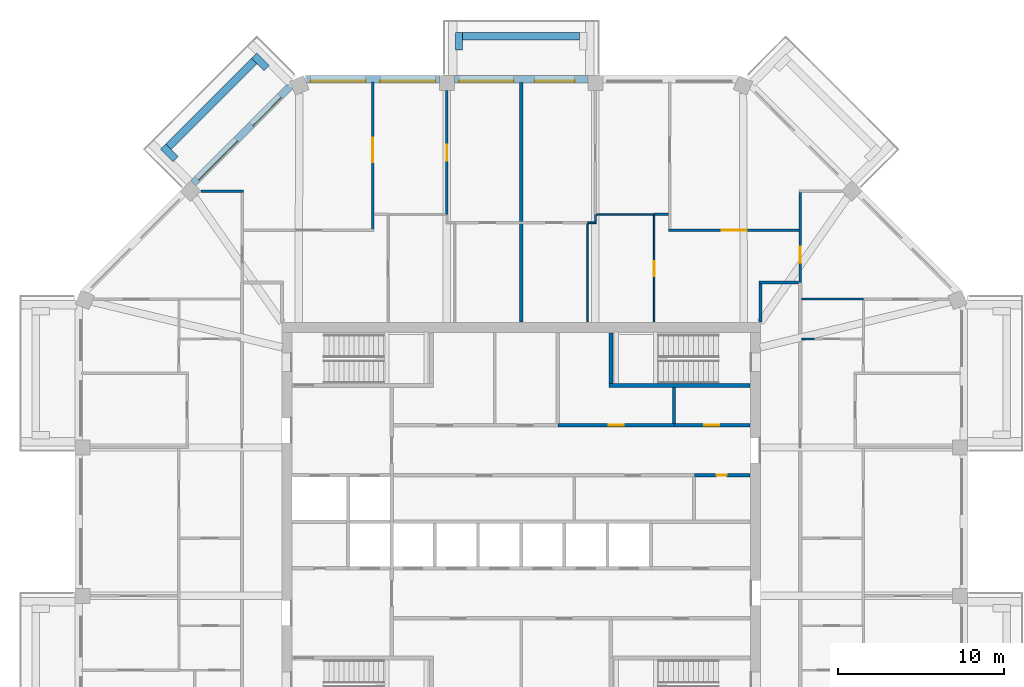
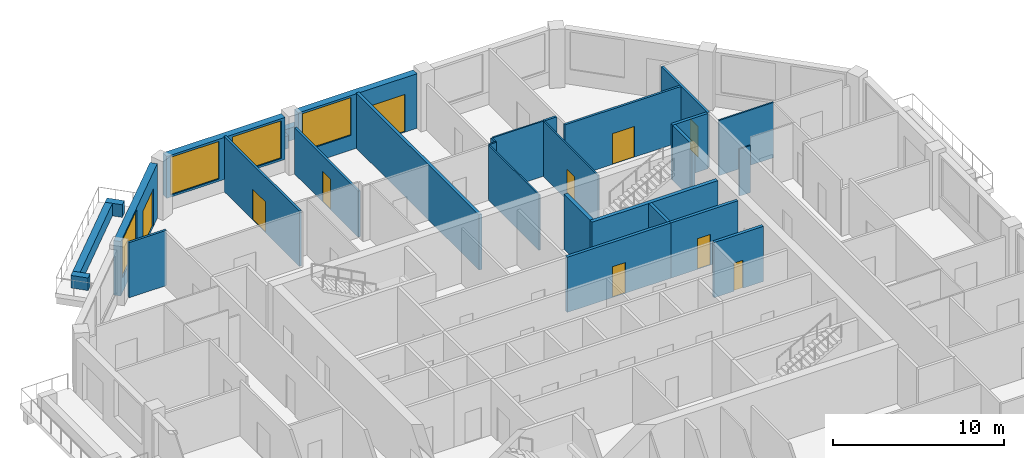
# One storey, part 8 of 12: 30 walls, 10 doors, 4 windows, 14 openings.
"""IFC4 building model written with IfcOpenShell, lengths in metres."""

from ifc_helpers import new_model, si_unit, direction, frame, frame_2d, origin, place, context, subcontext, project, spatial, rectangle, extrude, material, layer, layer_set, type_object, element, fill, save


model = new_model("IFC4")

# Units and contexts
model_context = context("Model", 3, precision=1e-05, world=origin(), true_north=direction((0.0, 1.0)))
body_context = subcontext(model_context, "Body", "Model", "MODEL_VIEW")
ifc_project = project(units=[si_unit("LENGTHUNIT", "METRE"), si_unit("AREAUNIT", "SQUARE_METRE"), si_unit("VOLUMEUNIT", "CUBIC_METRE"), si_unit("PLANEANGLEUNIT", "RADIAN"), si_unit("MASSUNIT", "GRAM", prefix="KILO")], contexts=[model_context])

# Site, building, storey
site_placement = place(None, origin())
site = spatial("IfcSite", under=ifc_project, at=site_placement, CompositionType="ELEMENT")
building_placement = place(site_placement, origin())
building = spatial("IfcBuilding", under=site, at=building_placement, Name="Msitu Wima Residences", CompositionType="ELEMENT")
storey_placement = place(building_placement, frame((0.0, 0.0, 243.300048828125)))
storey = spatial("IfcBuildingStorey", under=building, at=storey_placement, Name="L56", CompositionType="ELEMENT", Elevation=243.300048828125)

# Walls
ifc_material_1 = material(Name="Facing brick")
ifc_layer_1 = layer(ifc_material_1, 0.06494140625, Name="Facing brick")
ifc_material_2 = material(Name="Concrete C40/50", Category="concrete")
ifc_layer_2 = layer(ifc_material_2, 0.156005859375, Name="Concrete C40/50")
ifc_material_3 = material(Name="Waterproofing membrane")
ifc_layer_3 = layer(ifc_material_3, 0.00390625, Name="Waterproofing membrane")
ifc_material_4 = material(Name="Planting soil and planting")
ifc_layer_4 = layer(ifc_material_4, 0.22509765625, Name="Planting soil and planting")
ifc_layer_set_1 = layer_set([ifc_layer_1, ifc_layer_2, ifc_layer_3, ifc_layer_4], Name="Concrete C40/50")
wall_type_1 = type_object("IfcWallType", Name="Balcony planter PLANTER PL450", PredefinedType="USERDEFINED", material=ifc_layer_set_1)
wall_1_placement = place(storey_placement, frame((3.5185546875, 29.22509765625, 0.0), z_axis=(0.0, 0.0, 1.0), x_axis=(-1.0, 0.0, 0.0)))
element("IfcWall", 1, at=wall_1_placement, inside=storey, type_object=wall_type_1, Name="Balcony planter N1 L56", ObjectType="PLANTER", PredefinedType="USERDEFINED", context=body_context, shape_type="SweptSolid", body=[
    extrude(rectangle(XDim=7.037109375, YDim=0.449951171875, at=frame_2d((3.5185546875, 0.0))), origin(), (0.0, 0.0, 1.0), 0.89990234375),
])
wall_2_placement = place(storey_placement, frame((-3.74365234375, 28.39990234375, 0.0), z_axis=(0.0, 0.0, 1.0), x_axis=(0.0, 1.0, 0.0)))
element("IfcWall", 2, at=wall_2_placement, inside=storey, type_object=wall_type_1, Name="Balcony planter N1 L56", ObjectType="PLANTER", PredefinedType="USERDEFINED", context=body_context, shape_type="SweptSolid", body=[
    extrude(rectangle(XDim=1.050048828125, YDim=0.449951171875, at=frame_2d((0.52490234375, 0.0))), origin(), (0.0, 0.0, 1.0), 0.89990234375),
])
wall_3_placement = place(storey_placement, frame((-16.0751953125, 27.725830078125, 0.0), z_axis=(0.0, 0.0, 1.0), x_axis=(-0.707106781187, -0.707106781187, 0.0)))
element("IfcWall", 3, at=wall_3_placement, inside=storey, type_object=wall_type_1, Name="Balcony planter NW0 L56", ObjectType="PLANTER", PredefinedType="USERDEFINED", context=body_context, shape_type="SweptSolid", body=[
    extrude(rectangle(XDim=7.288330078125, YDim=0.449951171875, at=frame_2d((3.64404296875, 0.0))), origin(), (0.0, 0.0, 1.0), 0.89990234375),
])
for number, where, z_axis, x_axis, name in (
    (4, (-15.332763671875, 27.301513671875, 0.0), (0.0, 0.0, 1.0), (-0.707106781187, 0.707106781187, 0.0), "Balcony planter NW0 L56"),
    (5, (-20.804443359375, 21.829833984375, 0.0), (0.0, 0.0, 1.0), (-0.707106781187, 0.707106781187, 0.0), "Balcony planter NW0 L56"),
):
    element("IfcWall", number, at=place(storey_placement, frame(where, z_axis=z_axis, x_axis=x_axis)), inside=storey, type_object=wall_type_1, Name=name, ObjectType="PLANTER", PredefinedType="USERDEFINED", context=body_context, shape_type="SweptSolid", body=[
        extrude(rectangle(XDim=1.050048828125, YDim=0.449951171875, at=frame_2d((0.52490234375, 0.0))), origin(), (0.0, 0.0, 1.0), 0.89990234375),
    ])

# Wall, openings, door, window
ifc_material_5 = material(Name="Brick (red buff mix)", Category="masonry")
ifc_layer_5 = layer(ifc_material_5, 0.449951171875)
ifc_layer_set_2 = layer_set([ifc_layer_5], Name="Brick (red buff mix)")
wall_type_2 = type_object("IfcWallType", Name="Brick infill wall BW450", PredefinedType="SOLIDWALL", material=ifc_layer_set_2)
wall_4_placement = place(storey_placement, frame((4.0185546875, 26.625, 0.0), z_axis=(0.0, 0.0, 1.0), x_axis=(-1.0, 0.0, 0.0)))
wall_4 = element("IfcWall", 6, at=wall_4_placement, inside=storey, type_object=wall_type_2, Name="Brick infill wall L56 N1", PredefinedType="SOLIDWALL", context=body_context, shape_type="SweptSolid", body=[
    extrude(rectangle(XDim=8.037109375, YDim=0.449951171875, at=frame_2d((4.0185546875, 0.0))), origin(), (0.0, 0.0, 1.0), 3.89990234375),
])
opening_1_placement = place(wall_4_placement, frame((0.809326171875, 0.0, 0.0)))
opening_1 = element("IfcOpeningElement", 7, at=opening_1_placement, cuts=wall_4, Name="Opening D55-56.003", PredefinedType="OPENING", context=body_context, shape_type="SweptSolid", body=[
    extrude(rectangle(XDim=2.39990234375, YDim=2.699951171875, at=frame_2d((1.199951171875, 1.35009765625))), frame((0.0, 0.23486328125, 0.0), z_axis=(0.0, -1.0, 0.0), x_axis=(1.0, 0.0, 0.0)), (0.0, 0.0, 1.0), 0.469970703125),
])
opening_2_placement = place(wall_4_placement, frame((4.46875, 0.0, 1.050048828125)))
opening_2 = element("IfcOpeningElement", 8, at=opening_2_placement, cuts=wall_4, Name="Opening W55-56.007", PredefinedType="OPENING", context=body_context, shape_type="SweptSolid", body=[
    extrude(rectangle(XDim=3.300048828125, YDim=2.699951171875, at=frame_2d((1.64990234375, 1.35009765625))), frame((0.0, 0.23486328125, 0.0), z_axis=(0.0, -1.0, 0.0), x_axis=(1.0, 0.0, 0.0)), (0.0, 0.0, 1.0), 0.469970703125),
])
ifc_material_6 = material(Name="Anodised aluminium, bronze finish, clear low-emissivity double glazing", Category="aluminium")
door_type_1 = type_object("IfcDoorType", Name="Balcony door D2400x2700", OperationType="SLIDING_TO_LEFT", PredefinedType="DOOR", material=ifc_material_6)
door_1_placement = place(opening_1_placement, origin())
door_1 = element("IfcDoor", 9, at=door_1_placement, inside=storey, type_object=door_type_1, Name="Balcony door L56 N1", OperationType="SINGLE_SWING_LEFT", OverallHeight=2.699951171875, OverallWidth=2.39990234375, PredefinedType="DOOR", context=body_context, shape_type="SweptSolid", body=[
    extrude(rectangle(XDim=2.39990234375, YDim=2.699951171875, at=frame_2d((1.199951171875, 1.35009765625))), frame((0.0, 0.1298828125, 0.0), z_axis=(0.0, -1.0, 0.0), x_axis=(1.0, 0.0, 0.0)), (0.0, 0.0, 1.0), 0.050048828125),
])
fill(opening_1, door_1)
window_type = type_object("IfcWindowType", Name="Window W3300x2700", PartitioningType="DOUBLE_PANEL_VERTICAL", PredefinedType="WINDOW", material=ifc_material_6)
window_1_placement = place(opening_2_placement, origin())
window_1 = element("IfcWindow", 10, at=window_1_placement, inside=storey, type_object=window_type, Name="Window L56 N1.2", OverallHeight=2.699951171875, OverallWidth=3.300048828125, PartitioningType="SINGLE_PANEL", PredefinedType="WINDOW", context=body_context, shape_type="SweptSolid", body=[
    extrude(rectangle(XDim=3.300048828125, YDim=2.699951171875, at=frame_2d((1.64990234375, 1.35009765625))), frame((0.0, 0.135009765625, 0.0), z_axis=(0.0, -1.0, 0.0), x_axis=(1.0, 0.0, 0.0)), (0.0, 0.0, 1.0), 0.06005859375),
])
fill(opening_2, window_1)

# Wall, openings, windows
wall_5_placement = place(storey_placement, frame((-4.918701171875, 26.625, 0.89990234375), z_axis=(0.0, 0.0, 1.0), x_axis=(-1.0, 0.0, 0.0)))
wall_5 = element("IfcWall", 11, at=wall_5_placement, inside=storey, type_object=wall_type_2, Name="Brick infill wall L56 N2", PredefinedType="SOLIDWALL", context=body_context, shape_type="SweptSolid", body=[
    extrude(rectangle(XDim=8.0, YDim=0.449951171875, at=frame_2d((4.0, 0.0))), origin(), (0.0, 0.0, 1.0), 3.0),
])
opening_3_placement = place(wall_5_placement, frame((0.25, 0.0, 0.14990234375)))
opening_3 = element("IfcOpeningElement", 12, at=opening_3_placement, cuts=wall_5, Name="Opening W55-56.008", PredefinedType="OPENING", context=body_context, shape_type="SweptSolid", body=[
    extrude(rectangle(XDim=3.300048828125, YDim=2.699951171875, at=frame_2d((1.64990234375, 1.35009765625))), frame((0.0, 0.23486328125, 0.0), z_axis=(0.0, -1.0, 0.0), x_axis=(1.0, 0.0, 0.0)), (0.0, 0.0, 1.0), 0.469970703125),
])
opening_4_placement = place(wall_5_placement, frame((4.4501953125, 0.0, 0.14990234375)))
opening_4 = element("IfcOpeningElement", 13, at=opening_4_placement, cuts=wall_5, Name="Opening W55-56.009", PredefinedType="OPENING", context=body_context, shape_type="SweptSolid", body=[
    extrude(rectangle(XDim=3.300048828125, YDim=2.699951171875, at=frame_2d((1.64990234375, 1.35009765625))), frame((0.0, 0.23486328125, 0.0), z_axis=(0.0, -1.0, 0.0), x_axis=(1.0, 0.0, 0.0)), (0.0, 0.0, 1.0), 0.469970703125),
])
window_2_placement = place(opening_3_placement, origin())
window_2 = element("IfcWindow", 14, at=window_2_placement, inside=storey, type_object=window_type, Name="Window L56 N2.1", OverallHeight=2.699951171875, OverallWidth=3.300048828125, PartitioningType="SINGLE_PANEL", PredefinedType="WINDOW", context=body_context, shape_type="SweptSolid", body=[
    extrude(rectangle(XDim=3.300048828125, YDim=2.699951171875, at=frame_2d((1.64990234375, 1.35009765625))), frame((0.0, 0.135009765625, 0.0), z_axis=(0.0, -1.0, 0.0), x_axis=(1.0, 0.0, 0.0)), (0.0, 0.0, 1.0), 0.06005859375),
])
fill(opening_3, window_2)
window_3_placement = place(opening_4_placement, origin())
window_3 = element("IfcWindow", 15, at=window_3_placement, inside=storey, type_object=window_type, Name="Window L56 N2.2", OverallHeight=2.699951171875, OverallWidth=3.300048828125, PartitioningType="SINGLE_PANEL", PredefinedType="WINDOW", context=body_context, shape_type="SweptSolid", body=[
    extrude(rectangle(XDim=3.300048828125, YDim=2.699951171875, at=frame_2d((1.64990234375, 1.35009765625))), frame((0.0, 0.135009765625, 0.0), z_axis=(0.0, -1.0, 0.0), x_axis=(1.0, 0.0, 0.0)), (0.0, 0.0, 1.0), 0.06005859375),
])
fill(opening_4, window_3)

# Wall, openings, door, window
wall_6_placement = place(storey_placement, frame((-13.909423828125, 26.214599609375, 0.0), z_axis=(0.0, 0.0, 1.0), x_axis=(-0.707106781187, -0.707106781187, 0.0)))
wall_6 = element("IfcWall", 16, at=wall_6_placement, inside=storey, type_object=wall_type_2, Name="Brick infill wall L56 NW0", PredefinedType="SOLIDWALL", context=body_context, shape_type="SweptSolid", body=[
    extrude(rectangle(XDim=8.251220703125, YDim=0.449951171875, at=frame_2d((4.12548828125, 0.0))), origin(), (0.0, 0.0, 1.0), 3.89990234375),
])
opening_5_placement = place(wall_6_placement, frame((0.86279296875, 0.0, 0.0)))
opening_5 = element("IfcOpeningElement", 17, at=opening_5_placement, cuts=wall_6, Name="Opening D55-56.005", PredefinedType="OPENING", context=body_context, shape_type="SweptSolid", body=[
    extrude(rectangle(XDim=2.39990234375, YDim=2.699951171875, at=frame_2d((1.199951171875, 1.35009765625))), frame((0.0, 0.23486328125, 0.0), z_axis=(0.0, -1.0, 0.0), x_axis=(1.0, 0.0, 0.0)), (0.0, 0.0, 1.0), 0.469970703125),
])
opening_6_placement = place(wall_6_placement, frame((4.57568359375, 0.0, 1.050048828125)))
opening_6 = element("IfcOpeningElement", 18, at=opening_6_placement, cuts=wall_6, Name="Opening W55-56.013", PredefinedType="OPENING", context=body_context, shape_type="SweptSolid", body=[
    extrude(rectangle(XDim=3.300048828125, YDim=2.699951171875, at=frame_2d((1.64990234375, 1.35009765625))), frame((0.0, 0.23486328125, 0.0), z_axis=(0.0, -1.0, 0.0), x_axis=(1.0, 0.0, 0.0)), (0.0, 0.0, 1.0), 0.469970703125),
])
door_2_placement = place(opening_5_placement, origin())
door_2 = element("IfcDoor", 19, at=door_2_placement, inside=storey, type_object=door_type_1, Name="Balcony door L56 NW0", OperationType="SINGLE_SWING_LEFT", OverallHeight=2.699951171875, OverallWidth=2.39990234375, PredefinedType="DOOR", context=body_context, shape_type="SweptSolid", body=[
    extrude(rectangle(XDim=2.39990234375, YDim=2.699951171875, at=frame_2d((1.199951171875, 1.35009765625))), frame((0.0, 0.1298828125, 0.0), z_axis=(0.0, -1.0, 0.0), x_axis=(1.0, 0.0, 0.0)), (0.0, 0.0, 1.0), 0.050048828125),
])
fill(opening_5, door_2)
window_4_placement = place(opening_6_placement, origin())
window_4 = element("IfcWindow", 20, at=window_4_placement, inside=storey, type_object=window_type, Name="Window L56 NW0.2", OverallHeight=2.699951171875, OverallWidth=3.300048828125, PartitioningType="SINGLE_PANEL", PredefinedType="WINDOW", context=body_context, shape_type="SweptSolid", body=[
    extrude(rectangle(XDim=3.300048828125, YDim=2.699951171875, at=frame_2d((1.64990234375, 1.35009765625))), frame((0.0, 0.135009765625, 0.0), z_axis=(0.0, -1.0, 0.0), x_axis=(1.0, 0.0, 0.0)), (0.0, 0.0, 1.0), 0.06005859375),
])
fill(opening_6, window_4)

# Wall, opening, door
ifc_material_7 = material(Name="Plaster")
ifc_layer_6 = layer(ifc_material_7, 0.011962890625, Name="Plaster")
ifc_material_8 = material(Name="Concrete blockwork", Category="masonry")
ifc_layer_7 = layer(ifc_material_8, 0.176025390625, Name="Concrete blockwork")
ifc_layer_8 = layer(ifc_material_7, 0.011962890625, Name="Plaster")
ifc_layer_set_3 = layer_set([ifc_layer_6, ifc_layer_7, ifc_layer_8], Name="Concrete blockwork")
wall_type_3 = type_object("IfcWallType", Name="Corridor wall FW200", PredefinedType="PARTITIONING", material=ifc_layer_set_3)
wall_7_placement = place(storey_placement, frame((9.219970703125, 5.800048828125, 0.0), z_axis=(0.0, 0.0, 1.0), x_axis=(1.0, 0.0, 0.0)))
wall_7 = element("IfcWall", 21, at=wall_7_placement, inside=storey, type_object=wall_type_3, Name="Corridor wall", PredefinedType="PARTITIONING", context=body_context, shape_type="SweptSolid", body=[
    extrude(rectangle(XDim=4.550048828125, YDim=0.199951171875, at=frame_2d((2.27490234375, 0.0))), origin(), (0.0, 0.0, 1.0), 3.949951171875),
])
opening_7_placement = place(wall_7_placement, frame((1.800048828125, 0.0, 0.0)))
opening_7 = element("IfcOpeningElement", 22, at=opening_7_placement, cuts=wall_7, Name="Opening D55-56.067", PredefinedType="OPENING", context=body_context, shape_type="SweptSolid", body=[
    extrude(rectangle(XDim=0.89990234375, YDim=2.199951171875, at=frame_2d((0.449951171875, 1.10009765625))), frame((0.0, 0.10986328125, 0.0), z_axis=(0.0, -1.0, 0.0), x_axis=(1.0, 0.0, 0.0)), (0.0, 0.0, 1.0), 0.219970703125),
])
ifc_material_9 = material(Name="Timber flush door", Category="wood")
door_type_2 = type_object("IfcDoorType", Name="Service door D05 900x2200", OperationType="SINGLE_SWING_LEFT", PredefinedType="DOOR", material=ifc_material_9)
door_3_placement = place(opening_7_placement, origin())
door_3 = element("IfcDoor", 23, at=door_3_placement, inside=storey, type_object=door_type_2, Name="Service door", OperationType="SINGLE_SWING_LEFT", OverallHeight=2.199951171875, OverallWidth=0.89990234375, PredefinedType="DOOR", context=body_context, shape_type="SweptSolid", body=[
    extrude(rectangle(XDim=0.89990234375, YDim=2.199951171875, at=frame_2d((0.449951171875, 1.10009765625))), frame((0.0, 0.02490234375, 0.0), z_axis=(0.0, -1.0, 0.0), x_axis=(1.0, 0.0, 0.0)), (0.0, 0.0, 1.0), 0.050048828125),
])
fill(opening_7, door_3)

# Walls
wall_8_placement = place(storey_placement, frame((14.39990234375, 12.030029296875, 0.0), z_axis=(0.0, 0.0, 1.0), x_axis=(0.0, 1.0, 0.0)))
element("IfcWall", 24, at=wall_8_placement, inside=storey, type_object=wall_type_3, Name="Corridor wall", PredefinedType="PARTITIONING", context=body_context, shape_type="SweptSolid", body=[
    extrude(rectangle(XDim=2.27001953125, YDim=0.199951171875, at=frame_2d((1.135009765625, 0.0))), origin(), (0.0, 0.0, 1.0), 3.949951171875),
])
wall_9_placement = place(storey_placement, frame((14.300048828125, 14.39990234375, 0.0), z_axis=(0.0, 0.0, 1.0), x_axis=(1.0, 0.0, 0.0)))
element("IfcWall", 25, at=wall_9_placement, inside=storey, type_object=wall_type_3, Name="Corridor wall", PredefinedType="PARTITIONING", context=body_context, shape_type="SweptSolid", body=[
    extrude(rectangle(XDim=2.39990234375, YDim=0.199951171875, at=frame_2d((1.199951171875, 0.0))), origin(), (0.0, 0.0, 1.0), 3.949951171875),
])
ifc_layer_9 = layer(ifc_material_7, 0.011962890625, Name="Plaster")
ifc_layer_10 = layer(ifc_material_8, 0.1259765625, Name="Concrete blockwork")
ifc_layer_11 = layer(ifc_material_7, 0.011962890625, Name="Plaster")
ifc_layer_set_4 = layer_set([ifc_layer_9, ifc_layer_10, ifc_layer_11], Name="Concrete blockwork")
wall_type_4 = type_object("IfcWallType", Name="Partition PW150", PredefinedType="PARTITIONING", material=ifc_layer_set_4)
wall_10_placement = place(storey_placement, frame((-19.2666015625, 19.90283203125, 0.0), z_axis=(0.0, 0.0, 1.0), x_axis=(1.0, 0.0, 0.0)))
element("IfcWall", 26, at=wall_10_placement, inside=storey, type_object=wall_type_4, Name="Partition", PredefinedType="PARTITIONING", context=body_context, shape_type="SweptSolid", body=[
    extrude(rectangle(XDim=2.54150390625, YDim=0.14990234375, at=frame_2d((1.270751953125, 0.0))), origin(), (0.0, 0.0, 1.0), 3.949951171875),
])

# Wall, opening, door
wall_11_placement = place(storey_placement, frame((-8.937255859375, 17.625, 0.0), z_axis=(0.0, 0.0, 1.0), x_axis=(0.0, 1.0, 0.0)))
wall_11 = element("IfcWall", 27, at=wall_11_placement, inside=storey, type_object=wall_type_4, Name="Partition", PredefinedType="PARTITIONING", context=body_context, shape_type="SweptSolid", body=[
    extrude(rectangle(XDim=8.830078125, YDim=0.14990234375, at=frame_2d((4.4150390625, 0.0))), origin(), (0.0, 0.0, 1.0), 3.949951171875),
])
opening_8_placement = place(wall_11_placement, frame((4.0, 0.0, 0.0)))
opening_8 = element("IfcOpeningElement", 28, at=opening_8_placement, cuts=wall_11, Name="Opening D55-56.039", PredefinedType="OPENING", context=body_context, shape_type="SweptSolid", body=[
    extrude(rectangle(XDim=1.5, YDim=2.199951171875, at=frame_2d((0.75, 1.10009765625))), frame((0.0, 0.0849609375, 0.0), z_axis=(0.0, -1.0, 0.0), x_axis=(1.0, 0.0, 0.0)), (0.0, 0.0, 1.0), 0.169921875),
])
ifc_material_10 = material(Name="Timber double door", Category="wood")
door_type_3 = type_object("IfcDoorType", Name="Double door D04 1500x2200", OperationType="DOUBLE_DOOR_SINGLE_SWING", PredefinedType="DOOR", material=ifc_material_10)
door_4_placement = place(opening_8_placement, origin())
door_4 = element("IfcDoor", 29, at=door_4_placement, inside=storey, type_object=door_type_3, Name="Double door", OperationType="DOUBLE_DOOR_SINGLE_SWING", OverallHeight=2.199951171875, OverallWidth=1.5, PredefinedType="DOOR", context=body_context, shape_type="SweptSolid", body=[
    extrude(rectangle(XDim=1.5, YDim=2.199951171875, at=frame_2d((0.75, 1.10009765625))), frame((0.0, 0.02490234375, 0.0), z_axis=(0.0, -1.0, 0.0), x_axis=(1.0, 0.0, 0.0)), (0.0, 0.0, 1.0), 0.050048828125),
])
fill(opening_8, door_4)

wall_12_placement = place(storey_placement, frame((-4.46875, 18.47998046875, 0.0), z_axis=(0.0, 0.0, 1.0), x_axis=(0.0, 1.0, 0.0)))
wall_12 = element("IfcWall", 30, at=wall_12_placement, inside=storey, type_object=wall_type_4, Name="Partition", PredefinedType="PARTITIONING", context=body_context, shape_type="SweptSolid", body=[
    extrude(rectangle(XDim=7.469970703125, YDim=0.14990234375, at=frame_2d((3.73486328125, 0.0))), origin(), (0.0, 0.0, 1.0), 3.300048828125),
])
opening_9_placement = place(wall_12_placement, frame((3.25, 0.0, 0.0)))
opening_9 = element("IfcOpeningElement", 31, at=opening_9_placement, cuts=wall_12, Name="Opening D55-56.042", PredefinedType="OPENING", context=body_context, shape_type="SweptSolid", body=[
    extrude(rectangle(XDim=0.949951171875, YDim=2.199951171875, at=frame_2d((0.47509765625, 1.10009765625))), frame((0.0, 0.0849609375, 0.0), z_axis=(0.0, -1.0, 0.0), x_axis=(1.0, 0.0, 0.0)), (0.0, 0.0, 1.0), 0.169921875),
])
door_type_4 = type_object("IfcDoorType", Name="Room door D12 950x2200", OperationType="SINGLE_SWING_LEFT", PredefinedType="DOOR", material=ifc_material_9)
door_5_placement = place(opening_9_placement, origin())
door_5 = element("IfcDoor", 32, at=door_5_placement, inside=storey, type_object=door_type_4, Name="Room door", OperationType="SINGLE_SWING_RIGHT", OverallHeight=2.199951171875, OverallWidth=0.949951171875, PredefinedType="DOOR", context=body_context, shape_type="SweptSolid", body=[
    extrude(rectangle(XDim=0.949951171875, YDim=2.199951171875, at=frame_2d((0.47509765625, 1.10009765625))), frame((0.0, 0.02490234375, 0.0), z_axis=(0.0, -1.0, 0.0), x_axis=(1.0, 0.0, 0.0)), (0.0, 0.0, 1.0), 0.050048828125),
])
fill(opening_9, door_5)

# Wall
wall_13_placement = place(storey_placement, frame((8.0, 18.5, 0.0), z_axis=(0.0, 0.0, 1.0), x_axis=(1.0, 0.0, 0.0)))
element("IfcWall", 33, at=wall_13_placement, inside=storey, type_object=wall_type_4, Name="Partition", PredefinedType="PARTITIONING", context=body_context, shape_type="SweptSolid", body=[
    extrude(rectangle(XDim=0.8623046875, YDim=0.14990234375, at=frame_2d((0.43115234375, 0.0))), origin(), (0.0, 0.0, 1.0), 3.949951171875),
])

# Wall, opening, door
wall_14_placement = place(storey_placement, frame((8.8623046875, 17.550048828125, 0.0), z_axis=(0.0, 0.0, 1.0), x_axis=(1.0, 0.0, 0.0)))
wall_14 = element("IfcWall", 34, at=wall_14_placement, inside=storey, type_object=wall_type_4, Name="Partition", PredefinedType="PARTITIONING", context=body_context, shape_type="SweptSolid", body=[
    extrude(rectangle(XDim=7.86279296875, YDim=0.14990234375, at=frame_2d((3.931396484375, 0.0))), origin(), (0.0, 0.0, 1.0), 3.949951171875),
])
opening_10_placement = place(wall_14_placement, frame((3.199951171875, 0.0, 0.0)))
opening_10 = element("IfcOpeningElement", 35, at=opening_10_placement, cuts=wall_14, Name="Opening D55-56.033", PredefinedType="OPENING", context=body_context, shape_type="SweptSolid", body=[
    extrude(rectangle(XDim=1.5, YDim=2.199951171875, at=frame_2d((0.75, 1.10009765625))), frame((0.0, 0.0849609375, 0.0), z_axis=(0.0, -1.0, 0.0), x_axis=(1.0, 0.0, 0.0)), (0.0, 0.0, 1.0), 0.169921875),
])
door_6_placement = place(opening_10_placement, origin())
door_6 = element("IfcDoor", 36, at=door_6_placement, inside=storey, type_object=door_type_3, Name="Double door", OperationType="DOUBLE_DOOR_SINGLE_SWING", OverallHeight=2.199951171875, OverallWidth=1.5, PredefinedType="DOOR", context=body_context, shape_type="SweptSolid", body=[
    extrude(rectangle(XDim=1.5, YDim=2.199951171875, at=frame_2d((0.75, 1.10009765625))), frame((0.0, 0.02490234375, 0.0), z_axis=(0.0, -1.0, 0.0), x_axis=(1.0, 0.0, 0.0)), (0.0, 0.0, 1.0), 0.050048828125),
])
fill(opening_10, door_6)

wall_15_placement = place(storey_placement, frame((16.800048828125, 14.39990234375, 0.0), z_axis=(0.0, 0.0, 1.0), x_axis=(0.0, 1.0, 0.0)))
wall_15 = element("IfcWall", 37, at=wall_15_placement, inside=storey, type_object=wall_type_4, Name="Partition", PredefinedType="PARTITIONING", context=body_context, shape_type="SweptSolid", body=[
    extrude(rectangle(XDim=5.427978515625, YDim=0.14990234375, at=frame_2d((2.7138671875, 0.0))), origin(), (0.0, 0.0, 1.0), 3.949951171875),
])
opening_11_placement = place(wall_15_placement, frame((1.199951171875, 0.0, 0.0)))
opening_11 = element("IfcOpeningElement", 38, at=opening_11_placement, cuts=wall_15, Name="Opening D55-56.032", PredefinedType="OPENING", context=body_context, shape_type="SweptSolid", body=[
    extrude(rectangle(XDim=0.949951171875, YDim=2.199951171875, at=frame_2d((0.47509765625, 1.10009765625))), frame((0.0, 0.0849609375, 0.0), z_axis=(0.0, -1.0, 0.0), x_axis=(1.0, 0.0, 0.0)), (0.0, 0.0, 1.0), 0.169921875),
])
door_7_placement = place(opening_11_placement, origin())
door_7 = element("IfcDoor", 39, at=door_7_placement, inside=storey, type_object=door_type_4, Name="Room door", OperationType="SINGLE_SWING_RIGHT", OverallHeight=2.199951171875, OverallWidth=0.949951171875, PredefinedType="DOOR", context=body_context, shape_type="SweptSolid", body=[
    extrude(rectangle(XDim=0.949951171875, YDim=2.199951171875, at=frame_2d((0.47509765625, 1.10009765625))), frame((0.0, 0.02490234375, 0.0), z_axis=(0.0, -1.0, 0.0), x_axis=(1.0, 0.0, 0.0)), (0.0, 0.0, 1.0), 0.050048828125),
])
fill(opening_11, door_7)

# Wall
ifc_layer_12 = layer(ifc_material_7, 0.011962890625, Name="Plaster")
ifc_material_11 = material(Name="Dense concrete blockwork", Category="masonry")
ifc_layer_13 = layer(ifc_material_11, 0.176025390625, Name="Dense concrete blockwork")
ifc_layer_14 = layer(ifc_material_7, 0.011962890625, Name="Plaster")
ifc_layer_set_5 = layer_set([ifc_layer_12, ifc_layer_13, ifc_layer_14], Name="Dense concrete blockwork")
wall_type_5 = type_object("IfcWallType", Name="Party wall PW200", PredefinedType="PARTITIONING", material=ifc_layer_set_5)
wall_16_placement = place(storey_placement, frame((0.0, 12.030029296875, 0.0), z_axis=(0.0, 0.0, 1.0), x_axis=(0.0, 1.0, 0.0)))
element("IfcWall", 40, at=wall_16_placement, inside=storey, type_object=wall_type_5, Name="Party wall", PredefinedType="PARTITIONING", context=body_context, shape_type="SweptSolid", body=[
    extrude(rectangle(XDim=14.39501953125, YDim=0.199951171875, at=frame_2d((7.197509765625, 0.0))), origin(), (0.0, 0.0, 1.0), 3.949951171875),
])

# Wall, opening, door
ifc_layer_15 = layer(ifc_material_7, 0.011962890625, Name="Plaster")
ifc_material_12 = material(Name="Reinforced concrete blockwork", Category="masonry")
ifc_layer_16 = layer(ifc_material_12, 0.176025390625, Name="Reinforced concrete blockwork")
ifc_layer_17 = layer(ifc_material_7, 0.011962890625, Name="Plaster")
ifc_layer_set_6 = layer_set([ifc_layer_15, ifc_layer_16, ifc_layer_17], Name="Reinforced concrete blockwork")
wall_type_6 = type_object("IfcWallType", Name="Plant and riser wall PL200", PredefinedType="PARTITIONING", material=ifc_layer_set_6)
wall_17_placement = place(storey_placement, frame((2.219970703125, 5.800048828125, 0.0), z_axis=(0.0, 0.0, 1.0), x_axis=(1.0, 0.0, 0.0)))
wall_17 = element("IfcWall", 41, at=wall_17_placement, inside=storey, type_object=wall_type_6, Name="Plant and riser wall", PredefinedType="PARTITIONING", context=body_context, shape_type="SweptSolid", body=[
    extrude(rectangle(XDim=7.0, YDim=0.199951171875, at=frame_2d((3.5, 0.0))), origin(), (0.0, 0.0, 1.0), 3.949951171875),
])
opening_12_placement = place(wall_17_placement, frame((3.050048828125, 0.0, 0.0)))
opening_12 = element("IfcOpeningElement", 42, at=opening_12_placement, cuts=wall_17, Name="Opening D55-56.066", PredefinedType="OPENING", context=body_context, shape_type="SweptSolid", body=[
    extrude(rectangle(XDim=0.89990234375, YDim=2.199951171875, at=frame_2d((0.449951171875, 1.10009765625))), frame((0.0, 0.10986328125, 0.0), z_axis=(0.0, -1.0, 0.0), x_axis=(1.0, 0.0, 0.0)), (0.0, 0.0, 1.0), 0.219970703125),
])
door_8_placement = place(opening_12_placement, origin())
door_8 = element("IfcDoor", 43, at=door_8_placement, inside=storey, type_object=door_type_2, Name="Service door", OperationType="SINGLE_SWING_RIGHT", OverallHeight=2.199951171875, OverallWidth=0.89990234375, PredefinedType="DOOR", context=body_context, shape_type="SweptSolid", body=[
    extrude(rectangle(XDim=0.89990234375, YDim=2.199951171875, at=frame_2d((0.449951171875, 1.10009765625))), frame((0.0, 0.02490234375, 0.0), z_axis=(0.0, -1.0, 0.0), x_axis=(1.0, 0.0, 0.0)), (0.0, 0.0, 1.0), 0.050048828125),
])
fill(opening_12, door_8)

# Wall
wall_18_placement = place(storey_placement, frame((9.199951171875, 5.89990234375, 0.0), z_axis=(0.0, 0.0, 1.0), x_axis=(0.0, 1.0, 0.0)))
element("IfcWall", 44, at=wall_18_placement, inside=storey, type_object=wall_type_6, Name="Plant and riser wall", PredefinedType="PARTITIONING", context=body_context, shape_type="SweptSolid", body=[
    extrude(rectangle(XDim=2.175048828125, YDim=0.199951171875, at=frame_2d((1.08740234375, 0.0))), origin(), (0.0, 0.0, 1.0), 3.949951171875),
])

# Wall, opening, door
wall_19_placement = place(storey_placement, frame((10.419921875, 2.800048828125, 0.0), z_axis=(0.0, 0.0, 1.0), x_axis=(1.0, 0.0, 0.0)))
wall_19 = element("IfcWall", 45, at=wall_19_placement, inside=storey, type_object=wall_type_6, Name="Plant and riser wall", PredefinedType="PARTITIONING", context=body_context, shape_type="SweptSolid", body=[
    extrude(rectangle(XDim=3.35009765625, YDim=0.199951171875, at=frame_2d((1.675048828125, 0.0))), origin(), (0.0, 0.0, 1.0), 3.949951171875),
])
opening_13_placement = place(wall_19_placement, frame((1.35009765625, 0.0, 0.0)))
opening_13 = element("IfcOpeningElement", 46, at=opening_13_placement, cuts=wall_19, Name="Opening D55-56.075", PredefinedType="OPENING", context=body_context, shape_type="SweptSolid", body=[
    extrude(rectangle(XDim=0.60009765625, YDim=2.0, at=frame_2d((0.300048828125, 1.0))), frame((0.0, 0.10986328125, 0.0), z_axis=(0.0, -1.0, 0.0), x_axis=(1.0, 0.0, 0.0)), (0.0, 0.0, 1.0), 0.219970703125),
])
ifc_material_13 = material(Name="Steel access door, fire resisting", Category="steel")
door_type_5 = type_object("IfcDoorType", Name="Riser access door D08 600x2000", OperationType="SINGLE_SWING_LEFT", PredefinedType="DOOR", material=ifc_material_13)
door_9_placement = place(opening_13_placement, origin())
door_9 = element("IfcDoor", 47, at=door_9_placement, inside=storey, type_object=door_type_5, Name="Riser access door", OperationType="SINGLE_SWING_RIGHT", OverallHeight=2.0, OverallWidth=0.60009765625, PredefinedType="DOOR", context=body_context, shape_type="SweptSolid", body=[
    extrude(rectangle(XDim=0.60009765625, YDim=2.0, at=frame_2d((0.300048828125, 1.0))), frame((0.0, 0.02490234375, 0.0), z_axis=(0.0, -1.0, 0.0), x_axis=(1.0, 0.0, 0.0)), (0.0, 0.0, 1.0), 0.050048828125),
])
fill(opening_13, door_9)

# Walls
ifc_material_14 = material(Name="Concrete C50/60", Category="concrete")
ifc_layer_18 = layer(ifc_material_14, 0.25)
ifc_layer_set_7 = layer_set([ifc_layer_18], Name="Concrete C50/60")
wall_type_7 = type_object("IfcWallType", Name="Stair enclosure wall SW250", PredefinedType="SHEAR", material=ifc_layer_set_7)
wall_20_placement = place(storey_placement, frame((5.39990234375, 8.324951171875, 0.0), z_axis=(0.0, 0.0, 1.0), x_axis=(0.0, 1.0, 0.0)))
element("IfcWall", 48, at=wall_20_placement, inside=storey, type_object=wall_type_7, Name="Stair enclosure wall", PredefinedType="SHEAR", context=body_context, shape_type="SweptSolid", body=[
    extrude(rectangle(XDim=3.045166015625, YDim=0.25, at=frame_2d((1.5224609375, 0.0))), origin(), (0.0, 0.0, 1.0), 3.949951171875),
])
wall_21_placement = place(storey_placement, frame((5.27490234375, 8.199951171875, 0.0), z_axis=(0.0, 0.0, 1.0), x_axis=(1.0, 0.0, 0.0)))
element("IfcWall", 49, at=wall_21_placement, inside=storey, type_object=wall_type_7, Name="Stair enclosure wall", PredefinedType="SHEAR", context=body_context, shape_type="SweptSolid", body=[
    extrude(rectangle(XDim=8.4951171875, YDim=0.25, at=frame_2d((4.24755859375, 0.0))), origin(), (0.0, 0.0, 1.0), 3.949951171875),
])
ifc_material_15 = material(Name="Ceramic tiles")
ifc_layer_19 = layer(ifc_material_15, 0.008056640625, Name="Ceramic tiles")
ifc_material_16 = material(Name="Moisture-resistant board")
ifc_layer_20 = layer(ifc_material_16, 0.012451171875, Name="Moisture-resistant board")
ifc_material_17 = material(Name="Light-gauge stud framing with mineral wool")
ifc_layer_21 = layer(ifc_material_17, 0.06689453125, Name="Light-gauge stud framing with mineral wool")
ifc_layer_22 = layer(ifc_material_16, 0.012451171875, Name="Moisture-resistant board")
ifc_layer_set_8 = layer_set([ifc_layer_19, ifc_layer_20, ifc_layer_21, ifc_layer_22], Name="Light-gauge stud framing with mineral wool")
wall_type_8 = type_object("IfcWallType", Name="Wet wall PW100", PredefinedType="PARTITIONING", material=ifc_layer_set_8)
wall_22_placement = place(storey_placement, frame((4.0, 18.0, 0.0), z_axis=(0.0, 0.0, 1.0), x_axis=(1.0, 0.0, 0.0)))
element("IfcWall", 50, at=wall_22_placement, inside=storey, type_object=wall_type_8, Name="Wet wall", PredefinedType="PARTITIONING", context=body_context, shape_type="SweptSolid", body=[
    extrude(rectangle(XDim=0.5185546875, YDim=0.10009765625, at=frame_2d((0.25927734375, 0.0))), origin(), (0.0, 0.0, 1.0), 3.949951171875),
])
wall_23_placement = place(storey_placement, frame((4.0, 12.030029296875, 0.0), z_axis=(0.0, 0.0, 1.0), x_axis=(0.0, 1.0, 0.0)))
element("IfcWall", 51, at=wall_23_placement, inside=storey, type_object=wall_type_8, Name="Wet wall", PredefinedType="PARTITIONING", context=body_context, shape_type="SweptSolid", body=[
    extrude(rectangle(XDim=5.89501953125, YDim=0.10009765625, at=frame_2d((2.947509765625, 0.0))), origin(), (0.0, 0.0, 1.0), 3.949951171875),
])
wall_24_placement = place(storey_placement, frame((4.46875, 18.050048828125, 0.0), z_axis=(0.0, 0.0, 1.0), x_axis=(0.0, 1.0, 0.0)))
element("IfcWall", 52, at=wall_24_placement, inside=storey, type_object=wall_type_8, Name="Wet wall", PredefinedType="PARTITIONING", context=body_context, shape_type="SweptSolid", body=[
    extrude(rectangle(XDim=0.429931640625, YDim=0.10009765625, at=frame_2d((0.21484375, 0.0))), origin(), (0.0, 0.0, 1.0), 3.949951171875),
])
wall_25_placement = place(storey_placement, frame((4.543701171875, 18.5, 0.0), z_axis=(0.0, 0.0, 1.0), x_axis=(1.0, 0.0, 0.0)))
element("IfcWall", 53, at=wall_25_placement, inside=storey, type_object=wall_type_8, Name="Wet wall", PredefinedType="PARTITIONING", context=body_context, shape_type="SweptSolid", body=[
    extrude(rectangle(XDim=3.456298828125, YDim=0.10009765625, at=frame_2d((1.72802734375, 0.0))), origin(), (0.0, 0.0, 1.0), 3.949951171875),
])

# Wall, opening, door
wall_26_placement = place(storey_placement, frame((8.0, 12.030029296875, 0.0), z_axis=(0.0, 0.0, 1.0), x_axis=(0.0, 1.0, 0.0)))
wall_26 = element("IfcWall", 54, at=wall_26_placement, inside=storey, type_object=wall_type_8, Name="Wet wall", PredefinedType="PARTITIONING", context=body_context, shape_type="SweptSolid", body=[
    extrude(rectangle(XDim=6.39501953125, YDim=0.10009765625, at=frame_2d((3.197509765625, 0.0))), origin(), (0.0, 0.0, 1.0), 3.949951171875),
])
opening_14_placement = place(wall_26_placement, frame((2.75, 0.0, 0.0)))
opening_14 = element("IfcOpeningElement", 55, at=opening_14_placement, cuts=wall_26, Name="Opening D55-56.014", PredefinedType="OPENING", context=body_context, shape_type="SweptSolid", body=[
    extrude(rectangle(XDim=0.89990234375, YDim=2.199951171875, at=frame_2d((0.449951171875, 1.10009765625))), frame((0.0, 0.06005859375, 0.0), z_axis=(0.0, -1.0, 0.0), x_axis=(1.0, 0.0, 0.0)), (0.0, 0.0, 1.0), 0.1201171875),
])
ifc_material_18 = material(Name="Timber flush door, moisture resistant", Category="wood")
door_type_6 = type_object("IfcDoorType", Name="Bathroom door D03 900x2200", OperationType="SINGLE_SWING_LEFT", PredefinedType="DOOR", material=ifc_material_18)
door_10_placement = place(opening_14_placement, origin())
door_10 = element("IfcDoor", 56, at=door_10_placement, inside=storey, type_object=door_type_6, Name="Bathroom door", OperationType="SINGLE_SWING_RIGHT", OverallHeight=2.199951171875, OverallWidth=0.89990234375, PredefinedType="DOOR", context=body_context, shape_type="SweptSolid", body=[
    extrude(rectangle(XDim=0.89990234375, YDim=2.199951171875, at=frame_2d((0.449951171875, 1.10009765625))), frame((0.0, 0.02490234375, 0.0), z_axis=(0.0, -1.0, 0.0), x_axis=(1.0, 0.0, 0.0)), (0.0, 0.0, 1.0), 0.050048828125),
])
fill(opening_14, door_10)

# Walls
wall_27_placement = place(storey_placement, frame((16.89990234375, 11.0, 0.0), z_axis=(0.0, 0.0, 1.0), x_axis=(1.0, 0.0, 0.0)))
element("IfcWall", 57, at=wall_27_placement, inside=storey, type_object=wall_type_8, Name="Wet wall", PredefinedType="PARTITIONING", context=body_context, shape_type="SweptSolid", body=[
    extrude(rectangle(XDim=0.75390625, YDim=0.10009765625, at=frame_2d((0.376953125, 0.0))), origin(), (0.0, 0.0, 1.0), 3.349853515625),
])
wall_28_placement = place(storey_placement, frame((16.89990234375, 13.406005859375, 0.0), z_axis=(0.0, 0.0, 1.0), x_axis=(1.0, 0.0, 0.0)))
element("IfcWall", 58, at=wall_28_placement, inside=storey, type_object=wall_type_8, Name="Wet wall", PredefinedType="PARTITIONING", context=body_context, shape_type="SweptSolid", body=[
    extrude(rectangle(XDim=3.7001953125, YDim=0.10009765625, at=frame_2d((1.85009765625, 0.0))), origin(), (0.0, 0.0, 1.0), 3.949951171875),
])

save(model, "model.ifc")
